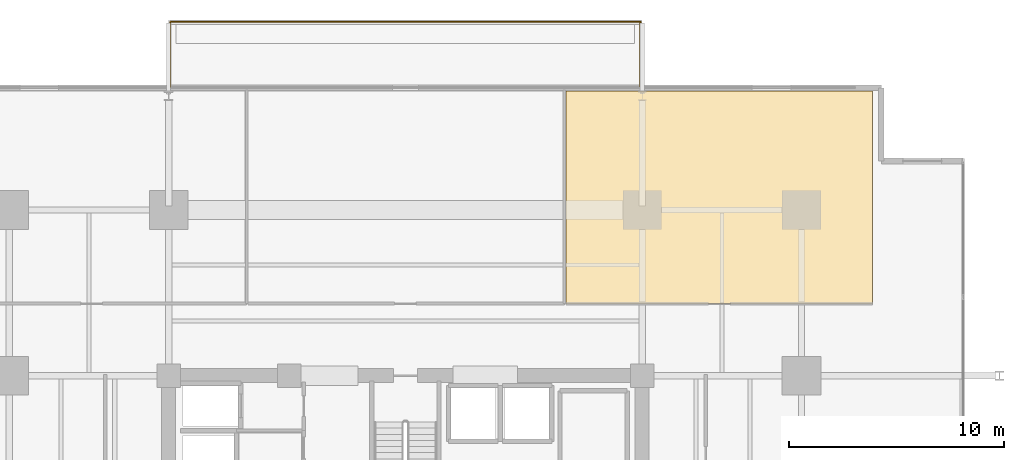
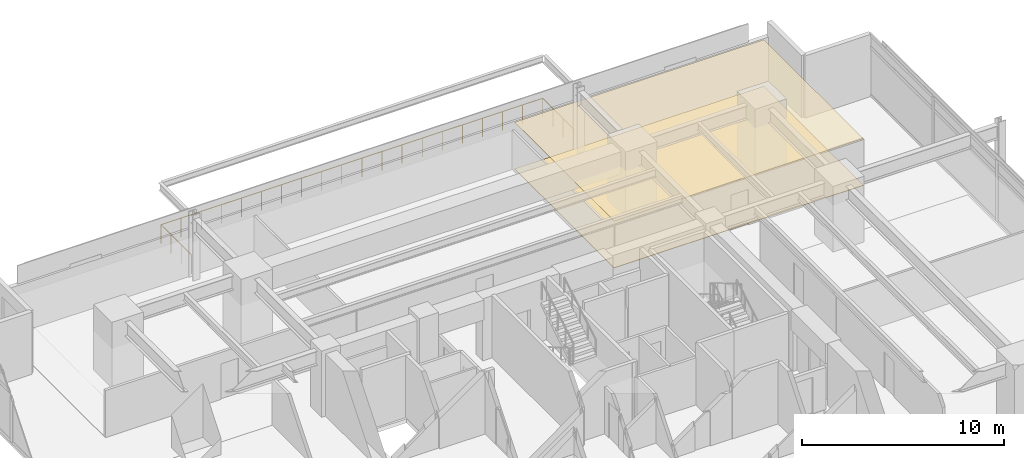
# One storey, part 23 of 23: 2 coverings, 1 railing.
"""IFC4 building model written with IfcOpenShell, lengths in metres."""

from ifc_helpers import new_model, si_unit, direction, frame, origin, origin_2d, place, context, subcontext, project, spatial, polyline, circle, outline, extrude, material, layer, layer_set, type_object, element, save


model = new_model("IFC4")

# Units and contexts
model_context = context("Model", 3, precision=1e-05, world=origin(), true_north=direction((0.0, 1.0)))
body_context = subcontext(model_context, "Body", "Model", "MODEL_VIEW")
ifc_project = project(units=[si_unit("LENGTHUNIT", "METRE"), si_unit("AREAUNIT", "SQUARE_METRE"), si_unit("VOLUMEUNIT", "CUBIC_METRE"), si_unit("PLANEANGLEUNIT", "RADIAN"), si_unit("MASSUNIT", "GRAM", prefix="KILO")], contexts=[model_context])

# Site, building, storey
site_placement = place(None, origin())
site = spatial("IfcSite", under=ifc_project, at=site_placement, CompositionType="ELEMENT")
building_placement = place(site_placement, origin())
building = spatial("IfcBuilding", under=site, at=building_placement, Name="Kovane Verandah Tower", CompositionType="ELEMENT")
storey_placement = place(building_placement, frame((0.0, 0.0, 63.60009765625)))
storey = spatial("IfcBuildingStorey", under=building, at=storey_placement, Name="L14", CompositionType="ELEMENT", Elevation=63.60009765625)

# Coverings
ifc_material_1 = material(Name="Perforated Acoustic Mineral-Fibre Ceiling Tile", Category="gypsum")
ifc_layer_1 = layer(ifc_material_1, 0.02490234375)
ifc_layer_set_1 = layer_set([ifc_layer_1], Name="Perforated Acoustic Mineral-Fibre Ceiling Tile")
covering_type_1 = type_object("IfcCoveringType", Name="CV-CEIL-25", PredefinedType="CEILING", material=ifc_layer_set_1)
covering_1_placement = place(storey_placement, frame((0.0, 0.0, 2.824951171875)))
element("IfcCovering", 1, at=covering_1_placement, inside=storey, type_object=covering_type_1, Name="L14 Breakout Pantry N3 Acoustic Ceiling", PredefinedType="CEILING", context=body_context, shape_type="SweptSolid", body=[
    extrude(outline(polyline([(47.450439453125, 39.85009765625), (61.70703125, 39.85009765625), (61.70703125, 49.72509765625), (47.450439453125, 49.72509765625), (47.450439453125, 39.85009765625)])), origin(), (0.0, 0.0, 1.0), 0.02490234375),
])
ifc_material_2 = material(Name="Polished Terrazzo and Raised-Access Carpet Tile Finish", Category="concrete")
ifc_layer_2 = layer(ifc_material_2, 0.030029296875)
ifc_layer_set_2 = layer_set([ifc_layer_2], Name="Polished Terrazzo and Raised-Access Carpet Tile Finish")
covering_type_2 = type_object("IfcCoveringType", Name="CV-FLOR-30", PredefinedType="FLOORING", material=ifc_layer_set_2)
covering_2_placement = place(storey_placement, origin())
element("IfcCovering", 2, at=covering_2_placement, inside=storey, type_object=covering_type_2, Name="L14 Breakout Pantry N3 Floor Finish", PredefinedType="FLOORING", context=body_context, shape_type="SweptSolid", body=[
    extrude(outline(polyline([(47.450439453125, 39.85009765625), (61.70703125, 39.85009765625), (61.70703125, 49.72509765625), (47.450439453125, 49.72509765625), (47.450439453125, 39.85009765625)])), origin(), (0.0, 0.0, 1.0), 0.02978515625),
])

# Railing
ifc_material_3 = material(Name="Laminated Glass and Pale-Champagne Stainless Balustrade", Category="glass")
railing_type = type_object("IfcRailingType", Name="RL-BAL-1150", PredefinedType="BALUSTRADE", material=ifc_material_3)
railing_placement = place(storey_placement, frame((29.080078125, 49.925048828125, 0.0)))
element("IfcRailing", 3, at=railing_placement, inside=storey, type_object=railing_type, Name="L14 N Verandah Glass Balustrade", PredefinedType="BALUSTRADE", context=body_context, shape_type="SweptSolid", body=[
    extrude(circle(Radius=0.02392578125, at=origin_2d()), frame((0.0, 0.0, 1.1259765625), z_axis=(0.0, 1.0, 0.0), x_axis=(-1.0, 0.0, 0.0)), (0.0, 0.0, 1.0), 3.02001953125),
    extrude(circle(Radius=0.02392578125, at=origin_2d()), frame((0.0, 3.02001953125, 1.1259765625), z_axis=(1.0, 0.0, 0.0), x_axis=(0.0, 1.0, 0.0)), (0.0, 0.0, 1.0), 21.83984375),
    extrude(circle(Radius=0.02392578125, at=origin_2d()), frame((21.83984375, 3.02001953125, 1.1259765625), z_axis=(0.0, -1.0, 0.0), x_axis=(1.0, 0.0, 0.0)), (0.0, 0.0, 1.0), 3.02001953125),
    extrude(circle(Radius=0.02099609375, at=origin_2d()), origin(), (0.0, 0.0, 1.0), 1.101806640625),
    extrude(circle(Radius=0.02099609375, at=origin_2d()), frame((0.0, 1.006591796875, 0.0)), (0.0, 0.0, 1.0), 1.101806640625),
    extrude(circle(Radius=0.02099609375, at=origin_2d()), frame((0.0, 2.013427734375, 0.0)), (0.0, 0.0, 1.0), 1.101806640625),
    extrude(circle(Radius=0.02099609375, at=origin_2d()), frame((0.0, 3.02001953125, 0.0)), (0.0, 0.0, 1.0), 1.101806640625),
    extrude(circle(Radius=0.02099609375, at=origin_2d()), frame((1.1494140625, 3.02001953125, 0.0)), (0.0, 0.0, 1.0), 1.101806640625),
    extrude(circle(Radius=0.02099609375, at=origin_2d()), frame((2.298828125, 3.02001953125, 0.0)), (0.0, 0.0, 1.0), 1.101806640625),
    extrude(circle(Radius=0.02099609375, at=origin_2d()), frame((3.448486328125, 3.02001953125, 0.0)), (0.0, 0.0, 1.0), 1.101806640625),
    extrude(circle(Radius=0.02099609375, at=origin_2d()), frame((4.597900390625, 3.02001953125, 0.0)), (0.0, 0.0, 1.0), 1.101806640625),
    extrude(circle(Radius=0.02099609375, at=origin_2d()), frame((5.747314453125, 3.02001953125, 0.0)), (0.0, 0.0, 1.0), 1.101806640625),
    extrude(circle(Radius=0.02099609375, at=origin_2d()), frame((6.896728515625, 3.02001953125, 0.0)), (0.0, 0.0, 1.0), 1.101806640625),
    extrude(circle(Radius=0.02099609375, at=origin_2d()), frame((8.046142578125, 3.02001953125, 0.0)), (0.0, 0.0, 1.0), 1.101806640625),
    extrude(circle(Radius=0.02099609375, at=origin_2d()), frame((9.19580078125, 3.02001953125, 0.0)), (0.0, 0.0, 1.0), 1.101806640625),
    extrude(circle(Radius=0.02099609375, at=origin_2d()), frame((10.34521484375, 3.02001953125, 0.0)), (0.0, 0.0, 1.0), 1.101806640625),
    extrude(circle(Radius=0.02099609375, at=origin_2d()), frame((11.49462890625, 3.02001953125, 0.0)), (0.0, 0.0, 1.0), 1.101806640625),
    extrude(circle(Radius=0.02099609375, at=origin_2d()), frame((12.64404296875, 3.02001953125, 0.0)), (0.0, 0.0, 1.0), 1.101806640625),
    extrude(circle(Radius=0.02099609375, at=origin_2d()), frame((13.793701171875, 3.02001953125, 0.0)), (0.0, 0.0, 1.0), 1.101806640625),
    extrude(circle(Radius=0.02099609375, at=origin_2d()), frame((14.943115234375, 3.02001953125, 0.0)), (0.0, 0.0, 1.0), 1.101806640625),
    extrude(circle(Radius=0.02099609375, at=origin_2d()), frame((16.092529296875, 3.02001953125, 0.0)), (0.0, 0.0, 1.0), 1.101806640625),
    extrude(circle(Radius=0.02099609375, at=origin_2d()), frame((17.241943359375, 3.02001953125, 0.0)), (0.0, 0.0, 1.0), 1.101806640625),
    extrude(circle(Radius=0.02099609375, at=origin_2d()), frame((18.391357421875, 3.02001953125, 0.0)), (0.0, 0.0, 1.0), 1.101806640625),
    extrude(circle(Radius=0.02099609375, at=origin_2d()), frame((19.541015625, 3.02001953125, 0.0)), (0.0, 0.0, 1.0), 1.101806640625),
    extrude(circle(Radius=0.02099609375, at=origin_2d()), frame((20.6904296875, 3.02001953125, 0.0)), (0.0, 0.0, 1.0), 1.101806640625),
    extrude(circle(Radius=0.02099609375, at=origin_2d()), frame((21.83984375, 3.02001953125, 0.0)), (0.0, 0.0, 1.0), 1.101806640625),
    extrude(circle(Radius=0.02099609375, at=origin_2d()), frame((21.83984375, 2.013427734375, 0.0)), (0.0, 0.0, 1.0), 1.101806640625),
    extrude(circle(Radius=0.02099609375, at=origin_2d()), frame((21.83984375, 1.006591796875, 0.0)), (0.0, 0.0, 1.0), 1.101806640625),
    extrude(circle(Radius=0.02099609375, at=origin_2d()), frame((21.83984375, 0.0, 0.0)), (0.0, 0.0, 1.0), 1.101806640625),
])

save(model, "model.ifc")
